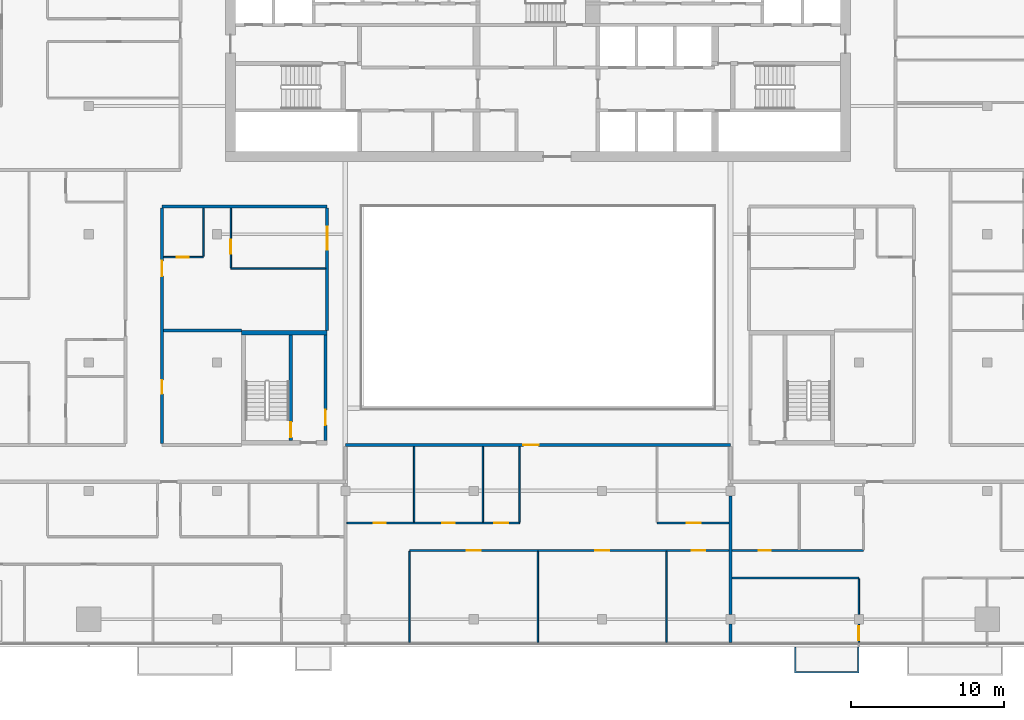
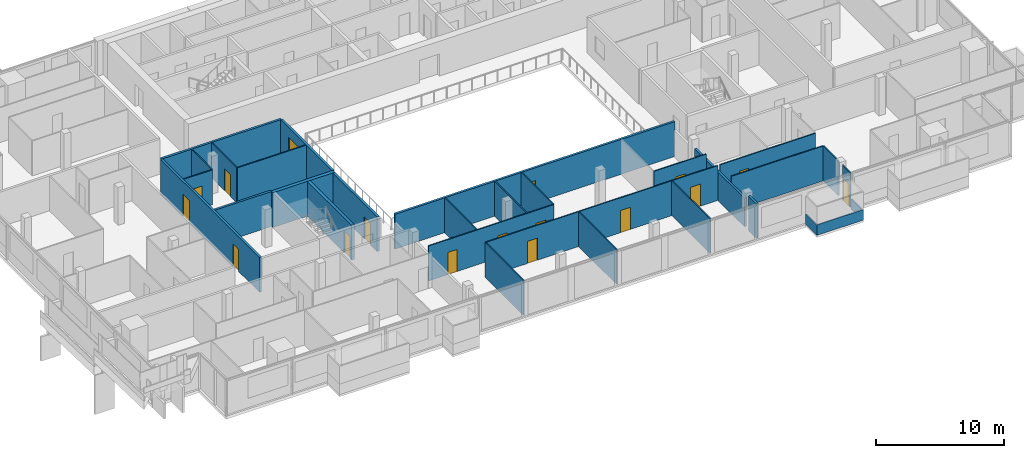
# One storey, part 19 of 30: 28 walls, 16 doors, 1 window, 17 openings.
"""IFC4 building model written with IfcOpenShell, lengths in metres."""

import ifcopenshell
import ifcopenshell.guid

model = None  # the IFC model being written
_history = None  # IfcOwnerHistory: only IFC2X3 demands one
_inside = {}  # id of a spatial element -> (the spatial element, [elements in it])
_under = {}  # id of a project, library or spatial element -> (it, [spatial elements below it])
_declared = {}  # id of a project -> (the project, [libraries it declares])
_typed = {}  # id of a type object -> (the type object, [elements of that type])
_made_of = {}  # id of a material, layer set ... -> (it, [elements and type objects made of it])


def new_model(schema):
    """Start an empty IFC model of exactly this schema.

    Asked for "IFC4X3", IfcOpenShell would pick the latest addendum, in which some entities
    have other attributes; the version numbers below select the first issue.
    IFC2X3 requires an IfcOwnerHistory on every rooted entity: one is made here for all.
    """
    global model, _history
    if schema == "IFC4X3":
        model = ifcopenshell.file(schema_version=(4, 3, 0, 0))
    else:
        model = ifcopenshell.file(schema=schema)
    _inside.clear()
    _under.clear()
    _declared.clear()
    _typed.clear()
    _made_of.clear()
    _history = None
    if model.schema == "IFC2X3":
        org = make("IfcOrganization", Name="unknown")
        user = make(
            "IfcPersonAndOrganization",
            ThePerson=make("IfcPerson", FamilyName="unknown"),
            TheOrganization=org,
        )
        app = make(
            "IfcApplication",
            ApplicationDeveloper=org,
            Version="unknown",
            ApplicationFullName="unknown",
            ApplicationIdentifier="unknown",
        )
        _history = make(
            "IfcOwnerHistory",
            OwningUser=user,
            OwningApplication=app,
            ChangeAction="ADDED",
            CreationDate=0,
        )
    return model


def make(cls, **values):
    """One entity of the class cls with the attributes given. An attribute that is None is left unset."""
    return model.create_entity(
        cls, **{name: value for name, value in values.items() if value is not None}
    )


def rooted(cls, **values):
    """An entity with a GlobalId (a new one), such as an element, a storey or a relation."""
    return make(cls, GlobalId=ifcopenshell.guid.new(), OwnerHistory=_history, **values)


def si_unit(unit_type, name, prefix=None):
    """IfcSIUnit, for example si_unit("LENGTHUNIT", "METRE", prefix="MILLI")."""
    return make("IfcSIUnit", UnitType=unit_type, Prefix=prefix, Name=name)


def assignment(units):
    """IfcUnitAssignment: the units of a project."""
    return None if units is None else make("IfcUnitAssignment", Units=units)


def point(xyz):
    """IfcCartesianPoint."""
    return None if xyz is None else make("IfcCartesianPoint", Coordinates=xyz)


def direction(xyz):
    """IfcDirection."""
    return None if xyz is None else make("IfcDirection", DirectionRatios=xyz)


def frame(location, z_axis=None, x_axis=None):
    """IfcAxis2Placement3D, a coordinate frame: its origin and axes. An axis left out is left unset."""
    return make(
        "IfcAxis2Placement3D",
        Location=point(location),
        Axis=direction(z_axis),
        RefDirection=direction(x_axis),
    )


def frame_2d(location, x_axis=None):
    """IfcAxis2Placement2D, a coordinate frame in the plane: its origin and x axis."""
    return make(
        "IfcAxis2Placement2D", Location=point(location), RefDirection=direction(x_axis)
    )


def origin():
    """The frame at (0, 0, 0) with its axes left unset."""
    return frame((0.0, 0.0, 0.0))


def place(relative_to, where):
    """IfcLocalPlacement: puts the frame where relative to a parent placement (None: the world)."""
    return make(
        "IfcLocalPlacement", PlacementRelTo=relative_to, RelativePlacement=where
    )


def context(
    kind, dimensions, precision=None, world=None, true_north=None, identifier=None
):
    """IfcGeometricRepresentationContext, for example the 3D "Model" context."""
    return make(
        "IfcGeometricRepresentationContext",
        ContextIdentifier=identifier,
        ContextType=kind,
        CoordinateSpaceDimension=dimensions,
        Precision=precision,
        WorldCoordinateSystem=world,
        TrueNorth=true_north,
    )


def subcontext(parent, identifier, kind, view, scale=None):
    """IfcGeometricRepresentationSubContext, for example "Body" below "Model"."""
    return make(
        "IfcGeometricRepresentationSubContext",
        ContextIdentifier=identifier,
        ContextType=kind,
        ParentContext=parent,
        TargetScale=scale,
        TargetView=view,
    )


def project(units=None, contexts=None):
    """IfcProject with its units and contexts."""
    return rooted(
        "IfcProject",
        Name="project",
        RepresentationContexts=contexts,
        UnitsInContext=assignment(units),
    )


def spatial(cls, under=None, at=None, **own):
    """A site, building, storey or space (cls), placed at a placement, below another one or the project."""
    s = rooted(cls, ObjectPlacement=at, **own)
    if under is not None:
        _under.setdefault(under.id(), (under, []))[1].append(s)
    return s


def polyline(points):
    """IfcPolyline through the points."""
    return make("IfcPolyline", Points=[point(p) for p in points])


def profile(cls, at=None, kind="AREA", **sizes):
    """A parametric profile (cls). Its sizes go by their IFC names, for example OverallWidth=200.0."""
    return make(cls, ProfileType=kind, Position=at, **sizes)


def rectangle(**sizes):
    """IfcRectangleProfileDef."""
    return profile("IfcRectangleProfileDef", **sizes)


def outline(outer, holes=None, kind="AREA"):
    """IfcArbitraryClosedProfileDef: a profile drawn as a closed curve; with holes, ...WithVoids."""
    if holes is None:
        return make("IfcArbitraryClosedProfileDef", ProfileType=kind, OuterCurve=outer)
    return make(
        "IfcArbitraryProfileDefWithVoids",
        ProfileType=kind,
        OuterCurve=outer,
        InnerCurves=holes,
    )


def extrude(swept, where, along, depth):
    """IfcExtrudedAreaSolid: the profile swept, set in the frame where, extruded along a direction by depth."""
    return make(
        "IfcExtrudedAreaSolid",
        SweptArea=swept,
        Position=where,
        ExtrudedDirection=direction(along),
        Depth=depth,
    )


def shape(context_of_items, identifier, shape_type, items):
    """IfcShapeRepresentation: the items that make up one representation, for example the "Body"."""
    return make(
        "IfcShapeRepresentation",
        ContextOfItems=context_of_items,
        RepresentationIdentifier=identifier,
        RepresentationType=shape_type,
        Items=items,
    )


def material(Name=None, Category=None):
    """IfcMaterial."""
    return make("IfcMaterial", Name=Name, Category=Category)


def layer(
    of_material, thickness, ventilated=None, Name=None, Category=None, Priority=None
):
    """IfcMaterialLayer: one layer of a wall or slab, of a material (None: an air gap)."""
    return make(
        "IfcMaterialLayer",
        Material=of_material,
        LayerThickness=thickness,
        IsVentilated=ventilated,
        Name=Name,
        Category=Category,
        Priority=Priority,
    )


def layer_set(layers, Name=None):
    """IfcMaterialLayerSet."""
    return make("IfcMaterialLayerSet", MaterialLayers=layers, LayerSetName=Name)


def made_of(thing, what):
    """Note that an element or type object is made of a material, layer set ...; save() writes the relation."""
    if what is not None:
        _made_of.setdefault(what.id(), (what, []))[1].append(thing)
    return thing


def type_object(cls, material=None, **own):
    """A type object (cls), such as IfcWallType, which elements share."""
    return made_of(rooted(cls, **own), material)


def element(
    cls,
    number,
    at=None,
    inside=None,
    cuts=None,
    type_object=None,
    material=None,
    context=None,
    identifier="Body",
    shape_type=None,
    held_by="IfcProductDefinitionShape",
    body=None,
    shapes=None,
    **own,
):
    """One element of the class cls, such as IfcWall. Its Tag is "e" and its number.

    at: its placement. inside: the storey or other place that contains it. cuts: it is an
    opening in that element (IfcRelVoidsElement). A single representation is given by context,
    identifier, shape_type and body (its items); several are given by shapes. held_by: the class
    of the entity that holds the representations. save() writes the other relations.
    """
    e = rooted(cls, Tag="e%d" % number, ObjectPlacement=at, **own)
    if body is not None:
        shapes = [shape(context, identifier, shape_type, body)]
    if shapes is not None:
        e.Representation = make(held_by, Representations=shapes)
    if inside is not None:
        _inside.setdefault(inside.id(), (inside, []))[1].append(e)
    if cuts is not None:
        rooted(
            "IfcRelVoidsElement", RelatingBuildingElement=cuts, RelatedOpeningElement=e
        )
    if type_object is not None:
        _typed.setdefault(type_object.id(), (type_object, []))[1].append(e)
    return made_of(e, material)


def fill(opening, filler):
    """IfcRelFillsElement: the door or window that sits in an opening."""
    return rooted(
        "IfcRelFillsElement",
        RelatingOpeningElement=opening,
        RelatedBuildingElement=filler,
    )


def aggregate(whole, parts):
    """IfcRelAggregates: a whole, such as a stair, and the parts it consists of."""
    return rooted("IfcRelAggregates", RelatingObject=whole, RelatedObjects=parts)


def save(model, path):
    """Write the relations noted so far, then the file.

    IfcRelAggregates (storeys below a building ...), IfcRelContainedInSpatialStructure (elements
    in a storey), IfcRelDefinesByType, IfcRelAssociatesMaterial and IfcRelDeclares: one each for
    every whole, place, type object, material and project.
    """
    for whole, parts in _under.values():
        aggregate(whole, parts)
    for where, things in _inside.values():
        rooted(
            "IfcRelContainedInSpatialStructure",
            RelatedElements=things,
            RelatingStructure=where,
        )
    for kind, things in _typed.values():
        rooted("IfcRelDefinesByType", RelatedObjects=things, RelatingType=kind)
    for what, things in _made_of.values():
        rooted("IfcRelAssociatesMaterial", RelatedObjects=things, RelatingMaterial=what)
    for by, libraries in _declared.values():
        rooted("IfcRelDeclares", RelatingContext=by, RelatedDefinitions=libraries)
    model.write(path)


model = new_model("IFC4")

# Units and contexts
model_context = context("Model", 3, precision=1e-05, world=origin(), true_north=direction((0.0, 1.0)))
body_context = subcontext(model_context, "Body", "Model", "MODEL_VIEW")
ifc_project = project(units=[si_unit("LENGTHUNIT", "METRE"), si_unit("AREAUNIT", "SQUARE_METRE"), si_unit("VOLUMEUNIT", "CUBIC_METRE"), si_unit("PLANEANGLEUNIT", "RADIAN"), si_unit("MASSUNIT", "GRAM", prefix="KILO")], contexts=[model_context])

# Site, building, storey
site_placement = place(None, origin())
site = spatial("IfcSite", under=ifc_project, at=site_placement, CompositionType="ELEMENT")
building_placement = place(site_placement, origin())
building = spatial("IfcBuilding", under=site, at=building_placement, Name="Saffron Gate Tower", CompositionType="ELEMENT")
storey_placement = place(building_placement, frame((0.0, 0.0, 223.5)))
storey = spatial("IfcBuildingStorey", under=building, at=storey_placement, Name="L54", CompositionType="ELEMENT", Elevation=223.5)

# Wall, opening, door
ifc_material_1 = material(Name="Gypsum board partition on steel studs", Category="steel")
ifc_layer_1 = layer(ifc_material_1, 0.199951171875)
ifc_layer_set_1 = layer_set([ifc_layer_1], Name="CW10 Core partition 200")
wall_type_1 = type_object("IfcWallType", Name="CW10 Core partition 200", PredefinedType="PARTITIONING", material=ifc_layer_set_1)
wall_1_placement = place(storey_placement, frame((73.699951171875, 43.5, 0.0), z_axis=(0.0, 0.0, 1.0), x_axis=(0.0, 1.0, 0.0)))
wall_1 = element("IfcWall", 1, at=wall_1_placement, inside=storey, type_object=wall_type_1, Name="Wall CW10-L54-D-4", PredefinedType="PARTITIONING", context=body_context, shape_type="SweptSolid", body=[
    extrude(rectangle(XDim=6.89990234375, YDim=0.199951171875, at=frame_2d((3.449951171875, 0.0))), origin(), (0.0, 0.0, 1.0), 3.320068359375),
])
opening_1_placement = place(wall_1_placement, frame((1.0, 0.0, 0.0)))
opening_1 = element("IfcOpeningElement", 2, at=opening_1_placement, cuts=wall_1, Name="Opening CR-19", PredefinedType="OPENING", context=body_context, shape_type="SweptSolid", body=[
    extrude(rectangle(XDim=1.0, YDim=2.10009765625, at=frame_2d((0.5, 1.050048828125))), frame((0.0, 0.10986328125, 0.0), z_axis=(0.0, -1.0, 0.0), x_axis=(1.0, 0.0, 0.0)), (0.0, 0.0, 1.0), 0.219970703125),
])
ifc_material_2 = material(Name="Steel fire door set", Category="steel")
door_type_1 = type_object("IfcDoorType", Name="CD4 Lobby door 1000x2100 EI 120", OperationType="NOTDEFINED", PredefinedType="DOOR", material=ifc_material_2)
door_1_placement = place(opening_1_placement, origin())
door_1 = element("IfcDoor", 3, at=door_1_placement, inside=storey, type_object=door_type_1, Name="DOOR CR-19", OperationType="SINGLE_SWING_RIGHT", OverallHeight=2.10009765625, OverallWidth=1.0, PredefinedType="DOOR", context=body_context, shape_type="SweptSolid", body=[
    extrude(rectangle(XDim=1.0, YDim=2.10009765625, at=frame_2d((0.5, 1.050048828125))), frame((0.0, 0.02490234375, 0.0), z_axis=(0.0, -1.0, 0.0), x_axis=(1.0, 0.0, 0.0)), (0.0, 0.0, 1.0), 0.050048828125),
])
fill(opening_1, door_1)

ifc_material_3 = material(Name="Concrete C60", Category="concrete")
ifc_layer_2 = layer(ifc_material_3, 0.25)
ifc_layer_set_2 = layer_set([ifc_layer_2], Name="CW14 RC core wall 250 C60")
wall_type_2 = type_object("IfcWallType", Name="CW14 RC core wall 250 C60", PredefinedType="SOLIDWALL", material=ifc_layer_set_2)
wall_2_placement = place(storey_placement, frame((71.425048828125, 43.5, 0.0), z_axis=(0.0, 0.0, 1.0), x_axis=(0.0, 1.0, 0.0)))
wall_2 = element("IfcWall", 4, at=wall_2_placement, inside=storey, type_object=wall_type_2, Name="Wall CW14-L54-D-3", PredefinedType="SOLIDWALL", context=body_context, shape_type="SweptSolid", body=[
    extrude(rectangle(XDim=6.89990234375, YDim=0.25, at=frame_2d((3.449951171875, 0.0))), origin(), (0.0, 0.0, 1.0), 3.320068359375),
])
opening_2_placement = place(wall_2_placement, frame((0.199951171875, 0.0, 0.0)))
opening_2 = element("IfcOpeningElement", 5, at=opening_2_placement, cuts=wall_2, Name="Opening CR-20", PredefinedType="OPENING", context=body_context, shape_type="SweptSolid", body=[
    extrude(rectangle(XDim=1.0, YDim=2.10009765625, at=frame_2d((0.5, 1.050048828125))), frame((0.0, 0.135009765625, 0.0), z_axis=(0.0, -1.0, 0.0), x_axis=(1.0, 0.0, 0.0)), (0.0, 0.0, 1.0), 0.27001953125),
])
door_type_2 = type_object("IfcDoorType", Name="CD5 Stair door 1000x2100 EI 120", OperationType="NOTDEFINED", PredefinedType="DOOR", material=ifc_material_2)
door_2_placement = place(opening_2_placement, origin())
door_2 = element("IfcDoor", 6, at=door_2_placement, inside=storey, type_object=door_type_2, Name="DOOR CR-20", OperationType="SINGLE_SWING_LEFT", OverallHeight=2.10009765625, OverallWidth=1.0, PredefinedType="DOOR", context=body_context, shape_type="SweptSolid", body=[
    extrude(rectangle(XDim=1.0, YDim=2.10009765625, at=frame_2d((0.5, 1.050048828125))), frame((0.0, 0.02490234375, 0.0), z_axis=(0.0, -1.0, 0.0), x_axis=(1.0, 0.0, 0.0)), (0.0, 0.0, 1.0), 0.050048828125),
])
fill(opening_2, door_2)

# Walls
ifc_layer_3 = layer(ifc_material_3, 0.300048828125)
ifc_layer_set_3 = layer_set([ifc_layer_3], Name="CW17 RC core wall 300 C60")
wall_type_3 = type_object("IfcWallType", Name="CW17 RC core wall 300 C60", PredefinedType="SOLIDWALL", material=ifc_layer_set_3)
wall_3_placement = place(storey_placement, frame((68.199951171875, 50.550048828125, 0.0), z_axis=(0.0, 0.0, 1.0), x_axis=(1.0, 0.0, 0.0)))
element("IfcWall", 7, at=wall_3_placement, inside=storey, type_object=wall_type_3, Name="Wall CW17-L54-D-5", PredefinedType="SOLIDWALL", context=body_context, shape_type="SweptSolid", body=[
    extrude(rectangle(XDim=5.60009765625, YDim=0.300048828125, at=frame_2d((2.800048828125, 0.0))), origin(), (0.0, 0.0, 1.0), 3.320068359375),
])
ifc_material_4 = material(Name="Plasterboard on steel studs", Category="steel")
ifc_layer_4 = layer(ifc_material_4, 0.10009765625)
ifc_layer_set_4 = layer_set([ifc_layer_4], Name="PW1 Partition 100")
wall_type_4 = type_object("IfcWallType", Name="PW1 Partition 100", PredefinedType="PARTITIONING", material=ifc_layer_set_4)
wall_4_placement = place(storey_placement, frame((100.300048828125, 34.5, 0.0), z_axis=(0.0, 0.0, 1.0), x_axis=(1.0, 0.0, 0.0)))
element("IfcWall", 8, at=wall_4_placement, inside=storey, type_object=wall_type_4, Name="Partition D2-1", PredefinedType="PARTITIONING", context=body_context, shape_type="SweptSolid", body=[
    extrude(rectangle(XDim=8.300048828125, YDim=0.10009765625, at=frame_2d((4.14990234375, 0.0))), origin(), (0.0, 0.0, 1.0), 3.320068359375),
])

# Wall, openings, doors
wall_5_placement = place(storey_placement, frame((75.10009765625, 38.10009765625, 0.0), z_axis=(0.0, 0.0, 1.0), x_axis=(1.0, 0.0, 0.0)))
wall_5 = element("IfcWall", 9, at=wall_5_placement, inside=storey, type_object=wall_type_4, Name="Partition D2-7", PredefinedType="PARTITIONING", context=body_context, shape_type="SweptSolid", body=[
    extrude(rectangle(XDim=11.2998046875, YDim=0.10009765625, at=frame_2d((5.64990234375, 0.0))), origin(), (0.0, 0.0, 1.0), 3.320068359375),
])
opening_3_placement = place(wall_5_placement, frame((1.75, 0.0, 0.0)))
opening_3 = element("IfcOpeningElement", 10, at=opening_3_placement, cuts=wall_5, Name="Opening D2-41", PredefinedType="OPENING", context=body_context, shape_type="SweptSolid", body=[
    extrude(rectangle(XDim=0.800048828125, YDim=2.10009765625, at=frame_2d((0.39990234375, 1.050048828125))), frame((0.0, 0.06005859375, 0.0), z_axis=(0.0, -1.0, 0.0), x_axis=(1.0, 0.0, 0.0)), (0.0, 0.0, 1.0), 0.1201171875),
])
opening_4_placement = place(wall_5_placement, frame((6.25, 0.0, 0.0)))
opening_4 = element("IfcOpeningElement", 11, at=opening_4_placement, cuts=wall_5, Name="Opening D2-42", PredefinedType="OPENING", context=body_context, shape_type="SweptSolid", body=[
    extrude(rectangle(XDim=0.800048828125, YDim=2.10009765625, at=frame_2d((0.39990234375, 1.050048828125))), frame((0.0, 0.06005859375, 0.0), z_axis=(0.0, -1.0, 0.0), x_axis=(1.0, 0.0, 0.0)), (0.0, 0.0, 1.0), 0.1201171875),
])
opening_5_placement = place(wall_5_placement, frame((9.64990234375, 0.0, 0.0)))
opening_5 = element("IfcOpeningElement", 12, at=opening_5_placement, cuts=wall_5, Name="Opening D2-19", PredefinedType="OPENING", context=body_context, shape_type="SweptSolid", body=[
    extrude(rectangle(XDim=0.89990234375, YDim=2.10009765625, at=frame_2d((0.449951171875, 1.050048828125))), frame((0.0, 0.06005859375, 0.0), z_axis=(0.0, -1.0, 0.0), x_axis=(1.0, 0.0, 0.0)), (0.0, 0.0, 1.0), 0.1201171875),
])
ifc_material_5 = material(Name="Timber door set", Category="wood")
door_type_3 = type_object("IfcDoorType", Name="RD1 Room door 900x2100", OperationType="NOTDEFINED", PredefinedType="DOOR", material=ifc_material_5)
door_3_placement = place(opening_5_placement, origin())
door_3 = element("IfcDoor", 13, at=door_3_placement, inside=storey, type_object=door_type_3, Name="Door D2-19", OperationType="SINGLE_SWING_RIGHT", OverallHeight=2.10009765625, OverallWidth=0.89990234375, PredefinedType="DOOR", context=body_context, shape_type="SweptSolid", body=[
    extrude(rectangle(XDim=0.89990234375, YDim=2.10009765625, at=frame_2d((0.449951171875, 1.050048828125))), frame((0.0, 0.02490234375, 0.0), z_axis=(0.0, -1.0, 0.0), x_axis=(1.0, 0.0, 0.0)), (0.0, 0.0, 1.0), 0.050048828125),
])
fill(opening_5, door_3)
door_type_4 = type_object("IfcDoorType", Name="RD2 Bathroom door 800x2100", OperationType="NOTDEFINED", PredefinedType="DOOR", material=ifc_material_5)
door_4_placement = place(opening_3_placement, origin())
door_4 = element("IfcDoor", 14, at=door_4_placement, inside=storey, type_object=door_type_4, Name="Door D2-41", OperationType="SINGLE_SWING_LEFT", OverallHeight=2.10009765625, OverallWidth=0.800048828125, PredefinedType="DOOR", context=body_context, shape_type="SweptSolid", body=[
    extrude(rectangle(XDim=0.800048828125, YDim=2.10009765625, at=frame_2d((0.39990234375, 1.050048828125))), frame((0.0, 0.02490234375, 0.0), z_axis=(0.0, -1.0, 0.0), x_axis=(1.0, 0.0, 0.0)), (0.0, 0.0, 1.0), 0.050048828125),
])
fill(opening_3, door_4)
door_5_placement = place(opening_4_placement, origin())
door_5 = element("IfcDoor", 15, at=door_5_placement, inside=storey, type_object=door_type_4, Name="Door D2-42", OperationType="SINGLE_SWING_LEFT", OverallHeight=2.10009765625, OverallWidth=0.800048828125, PredefinedType="DOOR", context=body_context, shape_type="SweptSolid", body=[
    extrude(rectangle(XDim=0.800048828125, YDim=2.10009765625, at=frame_2d((0.39990234375, 1.050048828125))), frame((0.0, 0.02490234375, 0.0), z_axis=(0.0, -1.0, 0.0), x_axis=(1.0, 0.0, 0.0)), (0.0, 0.0, 1.0), 0.050048828125),
])
fill(opening_4, door_5)

# Wall, opening, door
wall_6_placement = place(storey_placement, frame((95.39990234375, 38.10009765625, 0.0), z_axis=(0.0, 0.0, 1.0), x_axis=(1.0, 0.0, 0.0)))
wall_6 = element("IfcWall", 16, at=wall_6_placement, inside=storey, type_object=wall_type_4, Name="Partition D2-8", PredefinedType="PARTITIONING", context=body_context, shape_type="SweptSolid", body=[
    extrude(rectangle(XDim=4.7001953125, YDim=0.10009765625, at=frame_2d((2.35009765625, 0.0))), origin(), (0.0, 0.0, 1.0), 3.320068359375),
])
opening_6_placement = place(wall_6_placement, frame((1.949951171875, 0.0, 0.0)))
opening_6 = element("IfcOpeningElement", 17, at=opening_6_placement, cuts=wall_6, Name="Opening D2-18", PredefinedType="OPENING", context=body_context, shape_type="SweptSolid", body=[
    extrude(rectangle(XDim=0.89990234375, YDim=2.10009765625, at=frame_2d((0.449951171875, 1.050048828125))), frame((0.0, 0.06005859375, 0.0), z_axis=(0.0, -1.0, 0.0), x_axis=(1.0, 0.0, 0.0)), (0.0, 0.0, 1.0), 0.1201171875),
])
door_6_placement = place(opening_6_placement, origin())
door_6 = element("IfcDoor", 18, at=door_6_placement, inside=storey, type_object=door_type_3, Name="Door D2-18", OperationType="SINGLE_SWING_RIGHT", OverallHeight=2.10009765625, OverallWidth=0.89990234375, PredefinedType="DOOR", context=body_context, shape_type="SweptSolid", body=[
    extrude(rectangle(XDim=0.89990234375, YDim=2.10009765625, at=frame_2d((0.449951171875, 1.050048828125))), frame((0.0, 0.02490234375, 0.0), z_axis=(0.0, -1.0, 0.0), x_axis=(1.0, 0.0, 0.0)), (0.0, 0.0, 1.0), 0.050048828125),
])
fill(opening_6, door_6)

# Wall
wall_7_placement = place(storey_placement, frame((67.5, 54.75, 0.0), z_axis=(0.0, 0.0, 1.0), x_axis=(1.0, 0.0, 0.0)))
element("IfcWall", 19, at=wall_7_placement, inside=storey, type_object=wall_type_4, Name="Partition D2-30", PredefinedType="PARTITIONING", context=body_context, shape_type="SweptSolid", body=[
    extrude(rectangle(XDim=6.199951171875, YDim=0.10009765625, at=frame_2d((3.10009765625, 0.0))), origin(), (0.0, 0.0, 1.0), 3.320068359375),
])

# Wall, opening, door
wall_8_placement = place(storey_placement, frame((63.10009765625, 55.5, 0.0), z_axis=(0.0, 0.0, 1.0), x_axis=(1.0, 0.0, 0.0)))
wall_8 = element("IfcWall", 20, at=wall_8_placement, inside=storey, type_object=wall_type_4, Name="Partition D2-32", PredefinedType="PARTITIONING", context=body_context, shape_type="SweptSolid", body=[
    extrude(rectangle(XDim=2.599853515625, YDim=0.10009765625, at=frame_2d((1.2998046875, 0.0))), origin(), (0.0, 0.0, 1.0), 3.320068359375),
])
opening_7_placement = place(wall_8_placement, frame((0.85009765625, 0.0, 0.0)))
opening_7 = element("IfcOpeningElement", 21, at=opening_7_placement, cuts=wall_8, Name="Opening D2-52", PredefinedType="OPENING", context=body_context, shape_type="SweptSolid", body=[
    extrude(rectangle(XDim=0.800048828125, YDim=2.10009765625, at=frame_2d((0.39990234375, 1.050048828125))), frame((0.0, 0.06005859375, 0.0), z_axis=(0.0, -1.0, 0.0), x_axis=(1.0, 0.0, 0.0)), (0.0, 0.0, 1.0), 0.1201171875),
])
door_7_placement = place(opening_7_placement, origin())
door_7 = element("IfcDoor", 22, at=door_7_placement, inside=storey, type_object=door_type_4, Name="Door D2-52", OperationType="SINGLE_SWING_LEFT", OverallHeight=2.10009765625, OverallWidth=0.800048828125, PredefinedType="DOOR", context=body_context, shape_type="SweptSolid", body=[
    extrude(rectangle(XDim=0.800048828125, YDim=2.10009765625, at=frame_2d((0.39990234375, 1.050048828125))), frame((0.0, 0.02490234375, 0.0), z_axis=(0.0, -1.0, 0.0), x_axis=(1.0, 0.0, 0.0)), (0.0, 0.0, 1.0), 0.050048828125),
])
fill(opening_7, door_7)

# Wall
wall_9_placement = place(storey_placement, frame((65.699951171875, 58.699951171875, 0.0), z_axis=(0.0, 0.0, 1.0), x_axis=(0.0, -1.0, 0.0)))
element("IfcWall", 23, at=wall_9_placement, inside=storey, type_object=wall_type_4, Name="Partition D2-73", PredefinedType="PARTITIONING", context=body_context, shape_type="SweptSolid", body=[
    extrude(rectangle(XDim=3.14990234375, YDim=0.10009765625, at=frame_2d((1.574951171875, 0.0))), origin(), (0.0, 0.0, 1.0), 3.320068359375),
])

# Wall, opening, door
wall_10_placement = place(storey_placement, frame((67.5, 58.699951171875, 0.0), z_axis=(0.0, 0.0, 1.0), x_axis=(0.0, -1.0, 0.0)))
wall_10 = element("IfcWall", 24, at=wall_10_placement, inside=storey, type_object=wall_type_4, Name="Partition D2-74", PredefinedType="PARTITIONING", context=body_context, shape_type="SweptSolid", body=[
    extrude(rectangle(XDim=3.89990234375, YDim=0.10009765625, at=frame_2d((1.949951171875, 0.0))), origin(), (0.0, 0.0, 1.0), 3.320068359375),
])
opening_8_placement = place(wall_10_placement, frame((2.074951171875, 0.0, 0.0)))
opening_8 = element("IfcOpeningElement", 25, at=opening_8_placement, cuts=wall_10, Name="Opening D2-37", PredefinedType="OPENING", context=body_context, shape_type="SweptSolid", body=[
    extrude(rectangle(XDim=0.89990234375, YDim=2.10009765625, at=frame_2d((0.449951171875, 1.050048828125))), frame((0.0, 0.06005859375, 0.0), z_axis=(0.0, -1.0, 0.0), x_axis=(1.0, 0.0, 0.0)), (0.0, 0.0, 1.0), 0.1201171875),
])
door_8_placement = place(opening_8_placement, origin())
door_8 = element("IfcDoor", 26, at=door_8_placement, inside=storey, type_object=door_type_3, Name="Door D2-37", OperationType="SINGLE_SWING_RIGHT", OverallHeight=2.10009765625, OverallWidth=0.89990234375, PredefinedType="DOOR", context=body_context, shape_type="SweptSolid", body=[
    extrude(rectangle(XDim=0.89990234375, YDim=2.10009765625, at=frame_2d((0.449951171875, 1.050048828125))), frame((0.0, 0.02490234375, 0.0), z_axis=(0.0, -1.0, 0.0), x_axis=(1.0, 0.0, 0.0)), (0.0, 0.0, 1.0), 0.050048828125),
])
fill(opening_8, door_8)

# Walls
wall_11_placement = place(storey_placement, frame((79.199951171875, 36.25, 0.0), z_axis=(0.0, 0.0, 1.0), x_axis=(0.0, -1.0, 0.0)))
element("IfcWall", 27, at=wall_11_placement, inside=storey, type_object=wall_type_4, Name="Partition D2-83", PredefinedType="PARTITIONING", context=body_context, shape_type="SweptSolid", body=[
    extrude(rectangle(XDim=5.969970703125, YDim=0.10009765625, at=frame_2d((2.98486328125, 0.0))), origin(), (0.0, 0.0, 1.0), 3.320068359375),
])
for number, where, z_axis, x_axis, name in (
    (28, (79.5, 43.10009765625, 0.0), (0.0, 0.0, 1.0), (0.0, -1.0, 0.0), "Partition D2-84"),
    (29, (84.0, 43.10009765625, 0.0), (0.0, 0.0, 1.0), (0.0, -1.0, 0.0), "Partition D2-85"),
    (30, (86.39990234375, 43.10009765625, 0.0), (0.0, 0.0, 1.0), (0.0, -1.0, 0.0), "Partition D2-86"),
):
    element("IfcWall", number, at=place(storey_placement, frame(where, z_axis=z_axis, x_axis=x_axis)), inside=storey, type_object=wall_type_4, Name=name, PredefinedType="PARTITIONING", context=body_context, shape_type="SweptSolid", body=[
        extrude(rectangle(XDim=4.9501953125, YDim=0.10009765625, at=frame_2d((2.47509765625, 0.0))), origin(), (0.0, 0.0, 1.0), 3.320068359375),
    ])
for number, where, z_axis, x_axis, name in (
    (31, (87.60009765625, 36.25, 0.0), (0.0, 0.0, 1.0), (0.0, -1.0, 0.0), "Partition D2-87"),
    (32, (96.0, 36.25, 0.0), (0.0, 0.0, 1.0), (0.0, -1.0, 0.0), "Partition D2-89"),
):
    element("IfcWall", number, at=place(storey_placement, frame(where, z_axis=z_axis, x_axis=x_axis)), inside=storey, type_object=wall_type_4, Name=name, PredefinedType="PARTITIONING", context=body_context, shape_type="SweptSolid", body=[
        extrude(rectangle(XDim=5.969970703125, YDim=0.10009765625, at=frame_2d((2.98486328125, 0.0))), origin(), (0.0, 0.0, 1.0), 3.320068359375),
    ])

# Wall, opening, door
wall_12_placement = place(storey_placement, frame((108.60009765625, 30.280029296875, 0.0), z_axis=(0.0, 0.0, 1.0), x_axis=(0.0, 1.0, 0.0)))
wall_12 = element("IfcWall", 33, at=wall_12_placement, inside=storey, type_object=wall_type_4, Name="Partition D2-98", PredefinedType="PARTITIONING", context=body_context, shape_type="SweptSolid", body=[
    extrude(rectangle(XDim=1.199951171875, YDim=0.10009765625, at=frame_2d((0.60009765625, 0.0))), origin(), (0.0, 0.0, 1.0), 3.320068359375),
])
opening_9_placement = place(wall_12_placement, frame((0.14990234375, 0.0, 0.0)))
opening_9 = element("IfcOpeningElement", 34, at=opening_9_placement, cuts=wall_12, Name="Opening D2-20", PredefinedType="OPENING", context=body_context, shape_type="SweptSolid", body=[
    extrude(rectangle(XDim=0.89990234375, YDim=2.10009765625, at=frame_2d((0.449951171875, 1.050048828125))), frame((0.0, 0.06005859375, 0.0), z_axis=(0.0, -1.0, 0.0), x_axis=(1.0, 0.0, 0.0)), (0.0, 0.0, 1.0), 0.1201171875),
])
door_9_placement = place(opening_9_placement, origin())
door_9 = element("IfcDoor", 35, at=door_9_placement, inside=storey, type_object=door_type_3, Name="Door D2-20", OperationType="SINGLE_SWING_LEFT", OverallHeight=2.10009765625, OverallWidth=0.89990234375, PredefinedType="DOOR", context=body_context, shape_type="SweptSolid", body=[
    extrude(rectangle(XDim=0.89990234375, YDim=2.10009765625, at=frame_2d((0.449951171875, 1.050048828125))), frame((0.0, 0.02490234375, 0.0), z_axis=(0.0, -1.0, 0.0), x_axis=(1.0, 0.0, 0.0)), (0.0, 0.0, 1.0), 0.050048828125),
])
fill(opening_9, door_9)

# Wall
wall_13_placement = place(storey_placement, frame((108.60009765625, 34.449951171875, 0.0), z_axis=(0.0, 0.0, 1.0), x_axis=(0.0, -1.0, 0.0)))
element("IfcWall", 36, at=wall_13_placement, inside=storey, type_object=wall_type_4, Name="Partition D2-99", PredefinedType="PARTITIONING", context=body_context, shape_type="SweptSolid", body=[
    extrude(rectangle(XDim=2.329833984375, YDim=0.10009765625, at=frame_2d((1.1650390625, 0.0))), origin(), (0.0, 0.0, 1.0), 3.320068359375),
])

# Wall, openings, doors
wall_14_placement = place(storey_placement, frame((100.10009765625, 36.300048828125, 0.0), z_axis=(0.0, 0.0, 1.0), x_axis=(-1.0, 0.0, 0.0)))
wall_14 = element("IfcWall", 37, at=wall_14_placement, inside=storey, type_object=wall_type_4, Name="Partition D2-117", PredefinedType="PARTITIONING", context=body_context, shape_type="SweptSolid", body=[
    extrude(rectangle(XDim=20.900146484375, YDim=0.10009765625, at=frame_2d((10.4501953125, 0.0))), origin(), (0.0, 0.0, 1.0), 3.320068359375),
])
opening_10_placement = place(wall_14_placement, frame((1.550048828125, 0.0, 0.0)))
opening_10 = element("IfcOpeningElement", 38, at=opening_10_placement, cuts=wall_14, Name="Opening D2-17", PredefinedType="OPENING", context=body_context, shape_type="SweptSolid", body=[
    extrude(rectangle(XDim=0.89990234375, YDim=2.10009765625, at=frame_2d((0.449951171875, 1.050048828125))), frame((0.0, 0.06005859375, 0.0), z_axis=(0.0, -1.0, 0.0), x_axis=(1.0, 0.0, 0.0)), (0.0, 0.0, 1.0), 0.1201171875),
])
opening_11_placement = place(wall_14_placement, frame((7.85009765625, 0.0, 0.0)))
opening_11 = element("IfcOpeningElement", 39, at=opening_11_placement, cuts=wall_14, Name="Opening D2-16", PredefinedType="OPENING", context=body_context, shape_type="SweptSolid", body=[
    extrude(rectangle(XDim=0.89990234375, YDim=2.10009765625, at=frame_2d((0.449951171875, 1.050048828125))), frame((0.0, 0.06005859375, 0.0), z_axis=(0.0, -1.0, 0.0), x_axis=(1.0, 0.0, 0.0)), (0.0, 0.0, 1.0), 0.1201171875),
])
opening_12_placement = place(wall_14_placement, frame((16.25, 0.0, 0.0)))
opening_12 = element("IfcOpeningElement", 40, at=opening_12_placement, cuts=wall_14, Name="Opening D2-15", PredefinedType="OPENING", context=body_context, shape_type="SweptSolid", body=[
    extrude(rectangle(XDim=0.89990234375, YDim=2.10009765625, at=frame_2d((0.449951171875, 1.050048828125))), frame((0.0, 0.06005859375, 0.0), z_axis=(0.0, -1.0, 0.0), x_axis=(1.0, 0.0, 0.0)), (0.0, 0.0, 1.0), 0.1201171875),
])
door_10_placement = place(opening_10_placement, origin())
door_10 = element("IfcDoor", 41, at=door_10_placement, inside=storey, type_object=door_type_3, Name="Door D2-17", OperationType="SINGLE_SWING_LEFT", OverallHeight=2.10009765625, OverallWidth=0.89990234375, PredefinedType="DOOR", context=body_context, shape_type="SweptSolid", body=[
    extrude(rectangle(XDim=0.89990234375, YDim=2.10009765625, at=frame_2d((0.449951171875, 1.050048828125))), frame((0.0, 0.02490234375, 0.0), z_axis=(0.0, -1.0, 0.0), x_axis=(1.0, 0.0, 0.0)), (0.0, 0.0, 1.0), 0.050048828125),
])
fill(opening_10, door_10)
door_11_placement = place(opening_11_placement, origin())
door_11 = element("IfcDoor", 42, at=door_11_placement, inside=storey, type_object=door_type_3, Name="Door D2-16", OperationType="SINGLE_SWING_RIGHT", OverallHeight=2.10009765625, OverallWidth=0.89990234375, PredefinedType="DOOR", context=body_context, shape_type="SweptSolid", body=[
    extrude(rectangle(XDim=0.89990234375, YDim=2.10009765625, at=frame_2d((0.449951171875, 1.050048828125))), frame((0.0, 0.02490234375, 0.0), z_axis=(0.0, -1.0, 0.0), x_axis=(1.0, 0.0, 0.0)), (0.0, 0.0, 1.0), 0.050048828125),
])
fill(opening_11, door_11)
door_12_placement = place(opening_12_placement, origin())
door_12 = element("IfcDoor", 43, at=door_12_placement, inside=storey, type_object=door_type_3, Name="Door D2-15", OperationType="SINGLE_SWING_RIGHT", OverallHeight=2.10009765625, OverallWidth=0.89990234375, PredefinedType="DOOR", context=body_context, shape_type="SweptSolid", body=[
    extrude(rectangle(XDim=0.89990234375, YDim=2.10009765625, at=frame_2d((0.449951171875, 1.050048828125))), frame((0.0, 0.02490234375, 0.0), z_axis=(0.0, -1.0, 0.0), x_axis=(1.0, 0.0, 0.0)), (0.0, 0.0, 1.0), 0.050048828125),
])
fill(opening_12, door_12)

# Wall, opening, door
wall_15_placement = place(storey_placement, frame((100.300048828125, 36.300048828125, 0.0), z_axis=(0.0, 0.0, 1.0), x_axis=(1.0, 0.0, 0.0)))
wall_15 = element("IfcWall", 44, at=wall_15_placement, inside=storey, type_object=wall_type_4, Name="Partition D2-118", PredefinedType="PARTITIONING", context=body_context, shape_type="SweptSolid", body=[
    extrude(rectangle(XDim=8.599853515625, YDim=0.10009765625, at=frame_2d((4.2998046875, 0.0))), origin(), (0.0, 0.0, 1.0), 3.320068359375),
])
opening_13_placement = place(wall_15_placement, frame((1.75, 0.0, 0.0)))
opening_13 = element("IfcOpeningElement", 45, at=opening_13_placement, cuts=wall_15, Name="Opening D2-43", PredefinedType="OPENING", context=body_context, shape_type="SweptSolid", body=[
    extrude(rectangle(XDim=0.800048828125, YDim=2.10009765625, at=frame_2d((0.39990234375, 1.050048828125))), frame((0.0, 0.06005859375, 0.0), z_axis=(0.0, -1.0, 0.0), x_axis=(1.0, 0.0, 0.0)), (0.0, 0.0, 1.0), 0.1201171875),
])
door_13_placement = place(opening_13_placement, origin())
door_13 = element("IfcDoor", 46, at=door_13_placement, inside=storey, type_object=door_type_4, Name="Door D2-43", OperationType="SINGLE_SWING_LEFT", OverallHeight=2.10009765625, OverallWidth=0.800048828125, PredefinedType="DOOR", context=body_context, shape_type="SweptSolid", body=[
    extrude(rectangle(XDim=0.800048828125, YDim=2.10009765625, at=frame_2d((0.39990234375, 1.050048828125))), frame((0.0, 0.02490234375, 0.0), z_axis=(0.0, -1.0, 0.0), x_axis=(1.0, 0.0, 0.0)), (0.0, 0.0, 1.0), 0.050048828125),
])
fill(opening_13, door_13)

# Walls
ifc_material_6 = material(Name="Clay brick masonry, rendered", Category="masonry")
ifc_layer_5 = layer(ifc_material_6, 0.199951171875)
ifc_layer_set_5 = layer_set([ifc_layer_5], Name="PW2 Demising wall 200")
wall_type_5 = type_object("IfcWallType", Name="PW2 Demising wall 200", PredefinedType="PARTITIONING", material=ifc_layer_set_5)
wall_16_placement = place(storey_placement, frame((63.10009765625, 50.699951171875, 0.0), z_axis=(0.0, 0.0, 1.0), x_axis=(1.0, 0.0, 0.0)))
element("IfcWall", 47, at=wall_16_placement, inside=storey, type_object=wall_type_5, Name="Wall D2-24", PredefinedType="PARTITIONING", context=body_context, shape_type="SweptSolid", body=[
    extrude(rectangle(XDim=5.099853515625, YDim=0.199951171875, at=frame_2d((2.5498046875, 0.0))), origin(), (0.0, 0.0, 1.0), 3.320068359375),
])
wall_17_placement = place(storey_placement, frame((100.199951171875, 31.47998046875, 0.0), z_axis=(0.0, 0.0, 1.0), x_axis=(0.0, -1.0, 0.0)))
element("IfcWall", 48, at=wall_17_placement, inside=storey, type_object=wall_type_5, Name="Wall D2-91", PredefinedType="PARTITIONING", context=body_context, shape_type="SweptSolid", body=[
    extrude(rectangle(XDim=1.199951171875, YDim=0.199951171875, at=frame_2d((0.60009765625, 0.0))), origin(), (0.0, 0.0, 1.0), 3.320068359375),
])
wall_18_placement = place(storey_placement, frame((100.199951171875, 39.8798828125, 0.0), z_axis=(0.0, 0.0, 1.0), x_axis=(0.0, -1.0, 0.0)))
element("IfcWall", 49, at=wall_18_placement, inside=storey, type_object=wall_type_5, Name="Wall D2-92", PredefinedType="PARTITIONING", context=body_context, shape_type="SweptSolid", body=[
    extrude(rectangle(XDim=7.759765625, YDim=0.199951171875, at=frame_2d((3.8798828125, 0.0))), origin(), (0.0, 0.0, 1.0), 2.719970703125),
])

# Wall, opening, door
ifc_layer_6 = layer(ifc_material_6, 0.199951171875)
ifc_layer_set_6 = layer_set([ifc_layer_6], Name="PW3 Corridor wall 200")
wall_type_6 = type_object("IfcWallType", Name="PW3 Corridor wall 200", PredefinedType="PARTITIONING", material=ifc_layer_set_6)
wall_19_placement = place(storey_placement, frame((100.199951171875, 43.199951171875, 0.0), z_axis=(0.0, 0.0, 1.0), x_axis=(-1.0, 0.0, 0.0)))
wall_19 = element("IfcWall", 50, at=wall_19_placement, inside=storey, type_object=wall_type_6, Name="Wall D2-15", PredefinedType="PARTITIONING", context=body_context, shape_type="SweptSolid", body=[
    extrude(rectangle(XDim=25.199951171875, YDim=0.199951171875, at=frame_2d((12.60009765625, 0.0))), origin(), (0.0, 0.0, 1.0), 3.320068359375),
])
opening_14_placement = place(wall_19_placement, frame((12.550048828125, 0.0, 0.0)))
opening_14 = element("IfcOpeningElement", 51, at=opening_14_placement, cuts=wall_19, Name="Opening D2-2", PredefinedType="OPENING", context=body_context, shape_type="SweptSolid", body=[
    extrude(rectangle(XDim=1.0, YDim=2.10009765625, at=frame_2d((0.5, 1.050048828125))), frame((0.0, 0.10986328125, 0.0), z_axis=(0.0, -1.0, 0.0), x_axis=(1.0, 0.0, 0.0)), (0.0, 0.0, 1.0), 0.219970703125),
])
ifc_material_7 = material(Name="Timber fire door set", Category="wood")
door_type_5 = type_object("IfcDoorType", Name="FD1 Flat entry door 1000x2100", OperationType="NOTDEFINED", PredefinedType="DOOR", material=ifc_material_7)
door_14_placement = place(opening_14_placement, origin())
door_14 = element("IfcDoor", 52, at=door_14_placement, inside=storey, type_object=door_type_5, Name="Door D2-2", OperationType="SINGLE_SWING_RIGHT", OverallHeight=2.10009765625, OverallWidth=1.0, PredefinedType="DOOR", context=body_context, shape_type="SweptSolid", body=[
    extrude(rectangle(XDim=1.0, YDim=2.10009765625, at=frame_2d((0.5, 1.050048828125))), frame((0.0, 0.02490234375, 0.0), z_axis=(0.0, -1.0, 0.0), x_axis=(1.0, 0.0, 0.0)), (0.0, 0.0, 1.0), 0.050048828125),
])
fill(opening_14, door_14)

# Wall
wall_20_placement = place(storey_placement, frame((63.0, 58.800048828125, 0.0), z_axis=(0.0, 0.0, 1.0), x_axis=(1.0, 0.0, 0.0)))
element("IfcWall", 53, at=wall_20_placement, inside=storey, type_object=wall_type_6, Name="Wall D2-36", PredefinedType="PARTITIONING", context=body_context, shape_type="SweptSolid", body=[
    extrude(rectangle(XDim=10.800048828125, YDim=0.199951171875, at=frame_2d((5.39990234375, 0.0))), origin(), (0.0, 0.0, 1.0), 3.320068359375),
])

# Wall, openings, doors
wall_21_placement = place(storey_placement, frame((63.0, 58.699951171875, 0.0), z_axis=(0.0, 0.0, 1.0), x_axis=(0.0, -1.0, 0.0)))
wall_21 = element("IfcWall", 54, at=wall_21_placement, inside=storey, type_object=wall_type_6, Name="Wall D2-70", PredefinedType="PARTITIONING", context=body_context, shape_type="SweptSolid", body=[
    extrude(rectangle(XDim=15.39990234375, YDim=0.199951171875, at=frame_2d((7.699951171875, 0.0))), origin(), (0.0, 0.0, 1.0), 3.320068359375),
])
opening_15_placement = place(wall_21_placement, frame((3.449951171875, 0.0, 0.0)))
opening_15 = element("IfcOpeningElement", 55, at=opening_15_placement, cuts=wall_21, Name="Opening D2-8", PredefinedType="OPENING", context=body_context, shape_type="SweptSolid", body=[
    extrude(rectangle(XDim=1.0, YDim=2.10009765625, at=frame_2d((0.5, 1.050048828125))), frame((0.0, 0.10986328125, 0.0), z_axis=(0.0, -1.0, 0.0), x_axis=(1.0, 0.0, 0.0)), (0.0, 0.0, 1.0), 0.219970703125),
])
opening_16_placement = place(wall_21_placement, frame((11.25, 0.0, 0.0)))
opening_16 = element("IfcOpeningElement", 56, at=opening_16_placement, cuts=wall_21, Name="Opening D2-55", PredefinedType="OPENING", context=body_context, shape_type="SweptSolid", body=[
    extrude(rectangle(XDim=0.89990234375, YDim=2.10009765625, at=frame_2d((0.449951171875, 1.050048828125))), frame((0.0, 0.10986328125, 0.0), z_axis=(0.0, -1.0, 0.0), x_axis=(1.0, 0.0, 0.0)), (0.0, 0.0, 1.0), 0.219970703125),
])
door_15_placement = place(opening_15_placement, origin())
door_15 = element("IfcDoor", 57, at=door_15_placement, inside=storey, type_object=door_type_5, Name="Door D2-8", OperationType="SINGLE_SWING_LEFT", OverallHeight=2.10009765625, OverallWidth=1.0, PredefinedType="DOOR", context=body_context, shape_type="SweptSolid", body=[
    extrude(rectangle(XDim=1.0, YDim=2.10009765625, at=frame_2d((0.5, 1.050048828125))), frame((0.0, 0.02490234375, 0.0), z_axis=(0.0, -1.0, 0.0), x_axis=(1.0, 0.0, 0.0)), (0.0, 0.0, 1.0), 0.050048828125),
])
fill(opening_15, door_15)
door_type_6 = type_object("IfcDoorType", Name="SD1 Service door 900x2100", OperationType="NOTDEFINED", PredefinedType="DOOR", material=ifc_material_2)
door_16_placement = place(opening_16_placement, origin())
door_16 = element("IfcDoor", 58, at=door_16_placement, inside=storey, type_object=door_type_6, Name="Door D2-55", OperationType="SINGLE_SWING_RIGHT", OverallHeight=2.10009765625, OverallWidth=0.89990234375, PredefinedType="DOOR", context=body_context, shape_type="SweptSolid", body=[
    extrude(rectangle(XDim=0.89990234375, YDim=2.10009765625, at=frame_2d((0.449951171875, 1.050048828125))), frame((0.0, 0.02490234375, 0.0), z_axis=(0.0, -1.0, 0.0), x_axis=(1.0, 0.0, 0.0)), (0.0, 0.0, 1.0), 0.050048828125),
])
fill(opening_16, door_16)

# Wall, opening, window
wall_22_placement = place(storey_placement, frame((73.800048828125, 58.699951171875, 0.0), z_axis=(0.0, 0.0, 1.0), x_axis=(0.0, -1.0, 0.0)))
wall_22 = element("IfcWall", 59, at=wall_22_placement, inside=storey, type_object=wall_type_6, Name="Wall D2-78", PredefinedType="PARTITIONING", context=body_context, shape_type="SweptSolid", body=[
    extrude(rectangle(XDim=8.0, YDim=0.199951171875, at=frame_2d((4.0, 0.0))), origin(), (0.0, 0.0, 1.0), 3.320068359375),
])
opening_17_placement = place(wall_22_placement, frame((1.22509765625, 0.0, 0.89990234375)))
opening_17 = element("IfcOpeningElement", 60, at=opening_17_placement, cuts=wall_22, Name="Opening GW1", PredefinedType="OPENING", context=body_context, shape_type="SweptSolid", body=[
    extrude(rectangle(XDim=1.5, YDim=1.5, at=frame_2d((0.75, 0.75))), frame((0.0, 0.10986328125, 0.0), z_axis=(0.0, -1.0, 0.0), x_axis=(1.0, 0.0, 0.0)), (0.0, 0.0, 1.0), 0.219970703125),
])
ifc_material_8 = material(Name="Fire-resisting laminated glass in steel frame", Category="steel")
ifc_layer_7 = layer(ifc_material_8, 0.06005859375)
ifc_layer_set_7 = layer_set([ifc_layer_7], Name="GW1 Gallery window 1500x1500")
window_type = type_object("IfcWindowType", Name="GW1 Gallery window 1500x1500", PartitioningType="SINGLE_PANEL", PredefinedType="WINDOW", material=ifc_layer_set_7)
window_placement = place(opening_17_placement, origin())
window = element("IfcWindow", 61, at=window_placement, inside=storey, type_object=window_type, Name="GW1 window D2-H-B1", OverallHeight=1.5, OverallWidth=1.5, PartitioningType="SINGLE_PANEL", PredefinedType="WINDOW", context=body_context, shape_type="SweptSolid", body=[
    extrude(rectangle(XDim=1.5, YDim=1.5, at=frame_2d((0.75, 0.75))), frame((0.0, 0.030029296875, 0.0), z_axis=(0.0, -1.0, 0.0), x_axis=(1.0, 0.0, 0.0)), (0.0, 0.0, 1.0), 0.06005859375),
])
fill(opening_17, window)

# Wall
ifc_material_9 = material(Name="Rendered insulated panel, white")
ifc_layer_8 = layer(ifc_material_9, 0.10009765625)
ifc_layer_set_8 = layer_set([ifc_layer_8], Name="WB3 box parapet white")
wall_type_7 = type_object("IfcWallType", Name="WB3 box parapet white", PredefinedType="SOLIDWALL", material=ifc_layer_set_8)
wall_23_placement = place(storey_placement, origin())
element("IfcWall", 62, at=wall_23_placement, inside=storey, type_object=wall_type_7, Name="WINDOW BOX parapet", PredefinedType="SOLIDWALL", context=body_context, shape_type="SweptSolid", body=[
    extrude(outline(polyline([(104.39990234375, 30.0), (104.5, 30.0), (104.5, 28.366943359375), (108.5, 28.366943359375), (108.5, 30.0), (108.60009765625, 30.0), (108.60009765625, 28.26708984375), (104.39990234375, 28.26708984375), (104.39990234375, 30.0)])), origin(), (0.0, 0.0, 1.0), 1.0),
])

save(model, "model.ifc")
